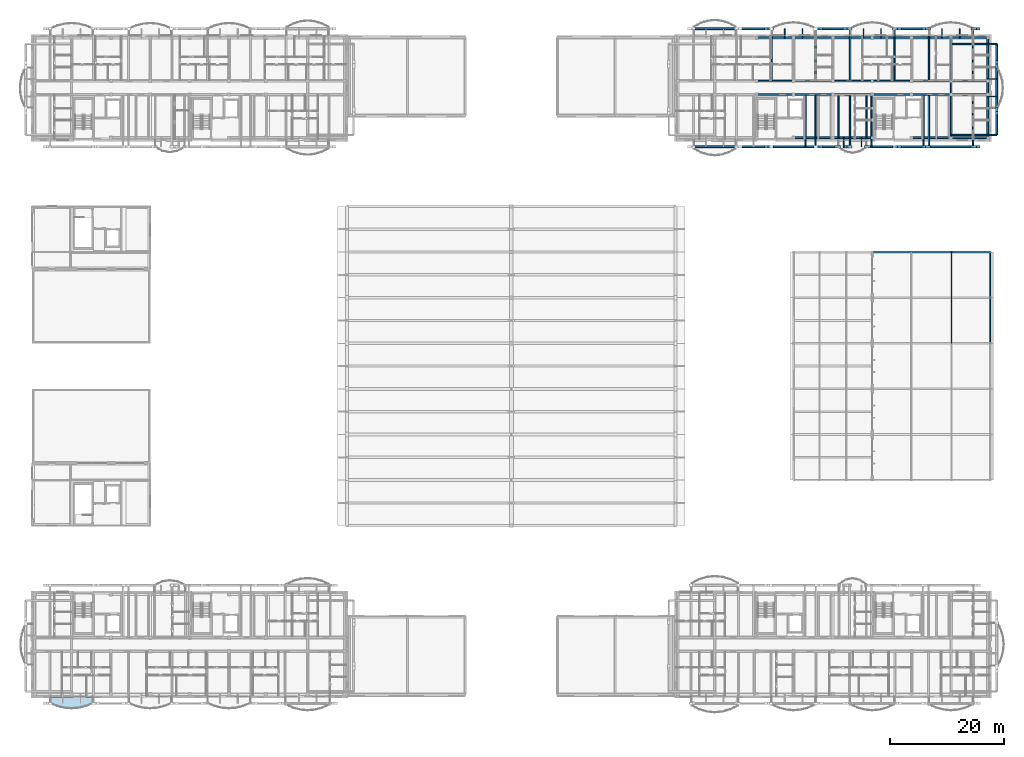
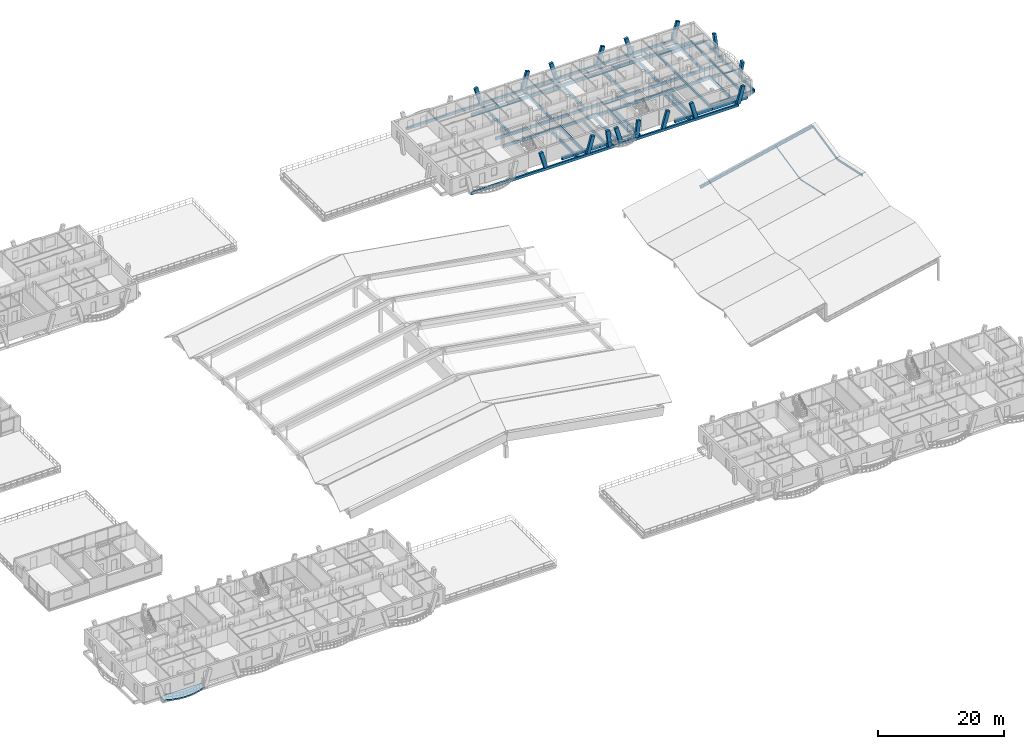
# One storey, part 51 of 109: 61 beams, 18 members, 1 slab.
"""IFC4 building model written with IfcOpenShell, lengths in metres."""

from ifc_helpers import new_model, si_unit, direction, frame, origin, origin_2d, place, context, subcontext, project, spatial, polyline, rectangle, i_section, outline, extrude, material, layer, layer_set, material_profile, profile_set, type_object, element, save


model = new_model("IFC4")

# Units and contexts
model_context = context("Model", 3, precision=1e-05, world=origin(), true_north=direction((0.0, 1.0)))
body_context = subcontext(model_context, "Body", "Model", "MODEL_VIEW")
ifc_project = project(units=[si_unit("LENGTHUNIT", "METRE"), si_unit("AREAUNIT", "SQUARE_METRE"), si_unit("VOLUMEUNIT", "CUBIC_METRE"), si_unit("PLANEANGLEUNIT", "RADIAN"), si_unit("MASSUNIT", "GRAM", prefix="KILO")], contexts=[model_context])

# Site, building, storey
site_placement = place(None, origin())
site = spatial("IfcSite", under=ifc_project, at=site_placement, CompositionType="ELEMENT")
building_placement = place(site_placement, origin())
building = spatial("IfcBuilding", under=site, at=building_placement, Name="Zavelmont Quarter", CompositionType="ELEMENT")
storey_placement = place(building_placement, frame((0.0, 0.0, 8.0)))
storey = spatial("IfcBuildingStorey", under=building, at=storey_placement, Name="L02", CompositionType="ELEMENT", Elevation=8.0)

# Beams
ifc_material_1 = material(Name="Concrete C35/45", Category="concrete")
ifc_material_profile_1 = material_profile(ifc_material_1, rectangle(XDim=0.35009765625, YDim=0.60009765625, at=origin_2d()), Name="RC350X600")
ifc_profile_set_1 = profile_set([ifc_material_profile_1], Name="Concrete C35/45")
beam_type_1 = type_object("IfcBeamType", Name="BM01", PredefinedType="SPANDREL", material=ifc_profile_set_1)
beam_1_placement = place(storey_placement, frame((133.5, 98.0400390625, -0.570068359375), z_axis=(1.0, 0.0, 0.0), x_axis=(0.0, 1.0, 0.0)))
element("IfcBeam", 1, at=beam_1_placement, inside=storey, type_object=beam_type_1, Name="L02 beam BM01 20/P to 21/P", PredefinedType="SPANDREL", context=body_context, shape_type="SweptSolid", body=[
    extrude(rectangle(XDim=0.35009765625, YDim=0.60009765625, at=origin_2d()), origin(), (0.0, 0.0, 1.0), 6.89990234375),
])
for number, where, z_axis, x_axis, name in (
    (2, (140.39990234375, 98.0400390625, -0.570068359375), (1.0, 0.0, 0.0), (0.0, 1.0, 0.0), "L02 beam BM01 21/P to 22/P"),
    (3, (154.199951171875, 98.0400390625, -0.570068359375), (1.0, 0.0, 0.0), (0.0, 1.0, 0.0), "L02 beam BM01 23/P to 24/P"),
):
    element("IfcBeam", number, at=place(storey_placement, frame(where, z_axis=z_axis, x_axis=x_axis)), inside=storey, type_object=beam_type_1, Name=name, PredefinedType="SPANDREL", context=body_context, shape_type="SweptSolid", body=[
        extrude(rectangle(XDim=0.35009765625, YDim=0.60009765625, at=origin_2d()), origin(), (0.0, 0.0, 1.0), 6.900146484375),
    ])
for number, where, z_axis, x_axis, name in (
    (4, (161.10009765625, 98.0400390625, -0.570068359375), (1.0, 0.0, 0.0), (0.0, 1.0, 0.0), "L02 beam BM01 24/P to 25/P"),
    (5, (127.0400390625, 115.56005859375, -0.570068359375), (1.0, 0.0, 0.0), (0.0, 1.0, 0.0), "L02 beam BM01 19/S to 20/S"),
):
    element("IfcBeam", number, at=place(storey_placement, frame(where, z_axis=z_axis, x_axis=x_axis)), inside=storey, type_object=beam_type_1, Name=name, PredefinedType="SPANDREL", context=body_context, shape_type="SweptSolid", body=[
        extrude(rectangle(XDim=0.35009765625, YDim=0.60009765625, at=origin_2d()), origin(), (0.0, 0.0, 1.0), 6.4599609375),
    ])
beam_2_placement = place(storey_placement, frame((133.5, 115.56005859375, -0.570068359375), z_axis=(1.0, 0.0, 0.0), x_axis=(0.0, 1.0, 0.0)))
element("IfcBeam", 6, at=beam_2_placement, inside=storey, type_object=beam_type_1, Name="L02 beam BM01 20/S to 21/S", PredefinedType="SPANDREL", context=body_context, shape_type="SweptSolid", body=[
    extrude(rectangle(XDim=0.35009765625, YDim=0.60009765625, at=origin_2d()), origin(), (0.0, 0.0, 1.0), 6.89990234375),
])
beam_3_placement = place(storey_placement, frame((140.39990234375, 115.56005859375, -0.570068359375), z_axis=(1.0, 0.0, 0.0), x_axis=(0.0, 1.0, 0.0)))
element("IfcBeam", 7, at=beam_3_placement, inside=storey, type_object=beam_type_1, Name="L02 beam BM01 21/S to 22/S", PredefinedType="SPANDREL", context=body_context, shape_type="SweptSolid", body=[
    extrude(rectangle(XDim=0.35009765625, YDim=0.60009765625, at=origin_2d()), origin(), (0.0, 0.0, 1.0), 6.900146484375),
])
beam_4_placement = place(storey_placement, frame((147.300048828125, 115.56005859375, -0.570068359375), z_axis=(1.0, 0.0, 0.0), x_axis=(0.0, 1.0, 0.0)))
element("IfcBeam", 8, at=beam_4_placement, inside=storey, type_object=beam_type_1, Name="L02 beam BM01 22/S to 23/S", PredefinedType="SPANDREL", context=body_context, shape_type="SweptSolid", body=[
    extrude(rectangle(XDim=0.35009765625, YDim=0.60009765625, at=origin_2d()), origin(), (0.0, 0.0, 1.0), 6.89990234375),
])
beam_5_placement = place(storey_placement, frame((154.199951171875, 115.56005859375, -0.570068359375), z_axis=(1.0, 0.0, 0.0), x_axis=(0.0, 1.0, 0.0)))
element("IfcBeam", 9, at=beam_5_placement, inside=storey, type_object=beam_type_1, Name="L02 beam BM01 23/S to 24/S", PredefinedType="SPANDREL", context=body_context, shape_type="SweptSolid", body=[
    extrude(rectangle(XDim=0.35009765625, YDim=0.60009765625, at=origin_2d()), origin(), (0.0, 0.0, 1.0), 6.900146484375),
])
beam_6_placement = place(storey_placement, frame((161.10009765625, 115.56005859375, -0.570068359375), z_axis=(1.0, 0.0, 0.0), x_axis=(0.0, 1.0, 0.0)))
element("IfcBeam", 10, at=beam_6_placement, inside=storey, type_object=beam_type_1, Name="L02 beam BM01 24/S to 25/S", PredefinedType="SPANDREL", context=body_context, shape_type="SweptSolid", body=[
    extrude(rectangle(XDim=0.35009765625, YDim=0.60009765625, at=origin_2d()), origin(), (0.0, 0.0, 1.0), 6.4599609375),
])
ifc_material_profile_2 = material_profile(ifc_material_1, rectangle(XDim=0.300048828125, YDim=0.550048828125, at=origin_2d()), Name="RC300X550")
ifc_profile_set_2 = profile_set([ifc_material_profile_2], Name="Concrete C35/45")
beam_type_2 = type_object("IfcBeamType", Name="BM02", PredefinedType="SPANDREL", material=ifc_profile_set_2)
beam_7_placement = place(storey_placement, frame((127.0400390625, 105.60009765625, -0.544921875), z_axis=(1.0, 0.0, 0.0), x_axis=(0.0, 1.0, 0.0)))
element("IfcBeam", 11, at=beam_7_placement, inside=storey, type_object=beam_type_2, Name="L02 beam BM02 19/Q to 20/Q", PredefinedType="SPANDREL", context=body_context, shape_type="SweptSolid", body=[
    extrude(rectangle(XDim=0.300048828125, YDim=0.550048828125, at=origin_2d()), origin(), (0.0, 0.0, 1.0), 6.4599609375),
])
beam_8_placement = place(storey_placement, frame((133.5, 105.60009765625, -0.544921875), z_axis=(1.0, 0.0, 0.0), x_axis=(0.0, 1.0, 0.0)))
element("IfcBeam", 12, at=beam_8_placement, inside=storey, type_object=beam_type_2, Name="L02 beam BM02 20/Q to 21/Q", PredefinedType="SPANDREL", context=body_context, shape_type="SweptSolid", body=[
    extrude(rectangle(XDim=0.300048828125, YDim=0.550048828125, at=origin_2d()), origin(), (0.0, 0.0, 1.0), 6.89990234375),
])
beam_9_placement = place(storey_placement, frame((140.39990234375, 105.60009765625, -0.544921875), z_axis=(1.0, 0.0, 0.0), x_axis=(0.0, 1.0, 0.0)))
element("IfcBeam", 13, at=beam_9_placement, inside=storey, type_object=beam_type_2, Name="L02 beam BM02 21/Q to 22/Q", PredefinedType="SPANDREL", context=body_context, shape_type="SweptSolid", body=[
    extrude(rectangle(XDim=0.300048828125, YDim=0.550048828125, at=origin_2d()), origin(), (0.0, 0.0, 1.0), 6.900146484375),
])
beam_10_placement = place(storey_placement, frame((147.300048828125, 105.60009765625, -0.544921875), z_axis=(1.0, 0.0, 0.0), x_axis=(0.0, 1.0, 0.0)))
element("IfcBeam", 14, at=beam_10_placement, inside=storey, type_object=beam_type_2, Name="L02 beam BM02 22/Q to 23/Q", PredefinedType="SPANDREL", context=body_context, shape_type="SweptSolid", body=[
    extrude(rectangle(XDim=0.300048828125, YDim=0.550048828125, at=origin_2d()), origin(), (0.0, 0.0, 1.0), 6.89990234375),
])
beam_11_placement = place(storey_placement, frame((154.199951171875, 105.60009765625, -0.544921875), z_axis=(1.0, 0.0, 0.0), x_axis=(0.0, 1.0, 0.0)))
element("IfcBeam", 15, at=beam_11_placement, inside=storey, type_object=beam_type_2, Name="L02 beam BM02 23/Q to 24/Q", PredefinedType="SPANDREL", context=body_context, shape_type="SweptSolid", body=[
    extrude(rectangle(XDim=0.300048828125, YDim=0.550048828125, at=origin_2d()), origin(), (0.0, 0.0, 1.0), 6.900146484375),
])
for number, where, z_axis, x_axis, name in (
    (16, (161.10009765625, 105.60009765625, -0.544921875), (1.0, 0.0, 0.0), (0.0, 1.0, 0.0), "L02 beam BM02 24/Q to 25/Q"),
    (17, (127.0400390625, 108.0, -0.544921875), (1.0, 0.0, 0.0), (0.0, 1.0, 0.0), "L02 beam BM02 19/R to 20/R"),
):
    element("IfcBeam", number, at=place(storey_placement, frame(where, z_axis=z_axis, x_axis=x_axis)), inside=storey, type_object=beam_type_2, Name=name, PredefinedType="SPANDREL", context=body_context, shape_type="SweptSolid", body=[
        extrude(rectangle(XDim=0.300048828125, YDim=0.550048828125, at=origin_2d()), origin(), (0.0, 0.0, 1.0), 6.4599609375),
    ])
beam_12_placement = place(storey_placement, frame((133.5, 108.0, -0.544921875), z_axis=(1.0, 0.0, 0.0), x_axis=(0.0, 1.0, 0.0)))
element("IfcBeam", 18, at=beam_12_placement, inside=storey, type_object=beam_type_2, Name="L02 beam BM02 20/R to 21/R", PredefinedType="SPANDREL", context=body_context, shape_type="SweptSolid", body=[
    extrude(rectangle(XDim=0.300048828125, YDim=0.550048828125, at=origin_2d()), origin(), (0.0, 0.0, 1.0), 6.89990234375),
])
beam_13_placement = place(storey_placement, frame((140.39990234375, 108.0, -0.544921875), z_axis=(1.0, 0.0, 0.0), x_axis=(0.0, 1.0, 0.0)))
element("IfcBeam", 19, at=beam_13_placement, inside=storey, type_object=beam_type_2, Name="L02 beam BM02 21/R to 22/R", PredefinedType="SPANDREL", context=body_context, shape_type="SweptSolid", body=[
    extrude(rectangle(XDim=0.300048828125, YDim=0.550048828125, at=origin_2d()), origin(), (0.0, 0.0, 1.0), 6.900146484375),
])
beam_14_placement = place(storey_placement, frame((147.300048828125, 108.0, -0.544921875), z_axis=(1.0, 0.0, 0.0), x_axis=(0.0, 1.0, 0.0)))
element("IfcBeam", 20, at=beam_14_placement, inside=storey, type_object=beam_type_2, Name="L02 beam BM02 22/R to 23/R", PredefinedType="SPANDREL", context=body_context, shape_type="SweptSolid", body=[
    extrude(rectangle(XDim=0.300048828125, YDim=0.550048828125, at=origin_2d()), origin(), (0.0, 0.0, 1.0), 6.89990234375),
])
beam_15_placement = place(storey_placement, frame((154.199951171875, 108.0, -0.544921875), z_axis=(1.0, 0.0, 0.0), x_axis=(0.0, 1.0, 0.0)))
element("IfcBeam", 21, at=beam_15_placement, inside=storey, type_object=beam_type_2, Name="L02 beam BM02 23/R to 24/R", PredefinedType="SPANDREL", context=body_context, shape_type="SweptSolid", body=[
    extrude(rectangle(XDim=0.300048828125, YDim=0.550048828125, at=origin_2d()), origin(), (0.0, 0.0, 1.0), 6.900146484375),
])
beam_16_placement = place(storey_placement, frame((161.10009765625, 108.0, -0.544921875), z_axis=(1.0, 0.0, 0.0), x_axis=(0.0, 1.0, 0.0)))
element("IfcBeam", 22, at=beam_16_placement, inside=storey, type_object=beam_type_2, Name="L02 beam BM02 24/R to 25/R", PredefinedType="SPANDREL", context=body_context, shape_type="SweptSolid", body=[
    extrude(rectangle(XDim=0.300048828125, YDim=0.550048828125, at=origin_2d()), origin(), (0.0, 0.0, 1.0), 6.4599609375),
])
beam_17_placement = place(storey_placement, frame((161.10009765625, 98.0400390625, -0.544921875), z_axis=(0.0, 1.0, 0.0), x_axis=(-1.0, 0.0, 0.0)))
element("IfcBeam", 23, at=beam_17_placement, inside=storey, type_object=beam_type_2, Name="L02 beam BM02 24/P to 24/Q", PredefinedType="SPANDREL", context=body_context, shape_type="SweptSolid", body=[
    extrude(rectangle(XDim=0.300048828125, YDim=0.550048828125, at=origin_2d()), origin(), (0.0, 0.0, 1.0), 7.56005859375),
])
beam_18_placement = place(storey_placement, frame((161.10009765625, 105.60009765625, -0.544921875), z_axis=(0.0, 1.0, 0.0), x_axis=(-1.0, 0.0, 0.0)))
element("IfcBeam", 24, at=beam_18_placement, inside=storey, type_object=beam_type_2, Name="L02 beam BM02 24/Q to 24/R", PredefinedType="SPANDREL", context=body_context, shape_type="SweptSolid", body=[
    extrude(rectangle(XDim=0.300048828125, YDim=0.550048828125, at=origin_2d()), origin(), (0.0, 0.0, 1.0), 2.39990234375),
])
for number, where, z_axis, x_axis, name in (
    (25, (161.10009765625, 108.0, -0.544921875), (0.0, 1.0, 0.0), (-1.0, 0.0, 0.0), "L02 beam BM02 24/R to 24/S"),
    (26, (167.56005859375, 98.0400390625, -0.544921875), (0.0, 1.0, 0.0), (-1.0, 0.0, 0.0), "L02 beam BM02 25/P to 25/Q"),
):
    element("IfcBeam", number, at=place(storey_placement, frame(where, z_axis=z_axis, x_axis=x_axis)), inside=storey, type_object=beam_type_2, Name=name, PredefinedType="SPANDREL", context=body_context, shape_type="SweptSolid", body=[
        extrude(rectangle(XDim=0.300048828125, YDim=0.550048828125, at=origin_2d()), origin(), (0.0, 0.0, 1.0), 7.56005859375),
    ])
beam_19_placement = place(storey_placement, frame((167.56005859375, 105.60009765625, -0.544921875), z_axis=(0.0, 1.0, 0.0), x_axis=(-1.0, 0.0, 0.0)))
element("IfcBeam", 27, at=beam_19_placement, inside=storey, type_object=beam_type_2, Name="L02 beam BM02 25/Q to 25/R", PredefinedType="SPANDREL", context=body_context, shape_type="SweptSolid", body=[
    extrude(rectangle(XDim=0.300048828125, YDim=0.550048828125, at=origin_2d()), origin(), (0.0, 0.0, 1.0), 2.39990234375),
])
beam_20_placement = place(storey_placement, frame((167.56005859375, 108.0, -0.544921875), z_axis=(0.0, 1.0, 0.0), x_axis=(-1.0, 0.0, 0.0)))
element("IfcBeam", 28, at=beam_20_placement, inside=storey, type_object=beam_type_2, Name="L02 beam BM02 25/R to 25/S", PredefinedType="SPANDREL", context=body_context, shape_type="SweptSolid", body=[
    extrude(rectangle(XDim=0.300048828125, YDim=0.550048828125, at=origin_2d()), origin(), (0.0, 0.0, 1.0), 7.56005859375),
])
ifc_material_profile_3 = material_profile(ifc_material_1, rectangle(XDim=0.300048828125, YDim=0.5, at=origin_2d()), Name="RC300X500")
ifc_profile_set_3 = profile_set([ifc_material_profile_3], Name="Concrete C35/45")
beam_type_3 = type_object("IfcBeamType", Name="BM03", PredefinedType="BEAM", material=ifc_profile_set_3)
for number, where, z_axis, x_axis, name in (
    (29, (115.926025390625, 117.14990234375, -0.25), (1.0, 0.0, 0.0), (0.0, 1.0, 0.0), "L02 beam BM03 17/S to 25/S"),
    (30, (115.926025390625, 96.449951171875, -0.25), (1.0, 0.0, 0.0), (0.0, 1.0, 0.0), "L02 beam BM03 17/P to 25/P"),
):
    element("IfcBeam", number, at=place(storey_placement, frame(where, z_axis=z_axis, x_axis=x_axis)), inside=storey, type_object=beam_type_3, Name=name, PredefinedType="BEAM", context=body_context, shape_type="SweptSolid", body=[
        extrude(rectangle(XDim=0.300048828125, YDim=0.5, at=origin_2d()), origin(), (0.0, 0.0, 1.0), 49.044921875),
    ])
beam_21_placement = place(storey_placement, frame((169.14990234375, 98.550048828125, -0.25), z_axis=(0.0, 1.0, 0.0), x_axis=(-1.0, 0.0, 0.0)))
element("IfcBeam", 31, at=beam_21_placement, inside=storey, type_object=beam_type_3, Name="L02 beam BM03 25/P to 25/S", PredefinedType="BEAM", context=body_context, shape_type="SweptSolid", body=[
    extrude(rectangle(XDim=0.300048828125, YDim=0.5, at=origin_2d()), origin(), (0.0, 0.0, 1.0), 15.949951171875),
])
ifc_material_2 = material(Name="Steel S355", Category="steel")
ifc_material_profile_4 = material_profile(ifc_material_2, i_section(OverallWidth=0.300048828125, OverallDepth=0.5400390625, WebThickness=0.012451171875, FlangeThickness=0.02392578125, at=origin_2d()), Name="HEA 550")
ifc_profile_set_4 = profile_set([ifc_material_profile_4], Name="Steel S355")
beam_type_4 = type_object("IfcBeamType", Name="BM11", PredefinedType="BEAM", material=ifc_profile_set_4)
beam_22_placement = place(storey_placement, frame((147.300048828125, 78.0, 1.1201171875), z_axis=(0.97593670434, 0.0, 0.21805400506), x_axis=(0.0, 1.0, 0.0)))
element("IfcBeam", 32, at=beam_22_placement, inside=storey, type_object=beam_type_4, Name="L02 beam BM11 22/M to 25/M", PredefinedType="BEAM", context=body_context, shape_type="SweptSolid", body=[
    extrude(i_section(OverallWidth=0.300048828125, OverallDepth=0.5400390625, WebThickness=0.012451171875, FlangeThickness=0.02392578125, at=origin_2d()), origin(), (0.0, 0.0, 1.0), 21.21044921875),
])
ifc_material_profile_5 = material_profile(ifc_material_2, i_section(OverallWidth=0.169921875, OverallDepth=0.360107421875, WebThickness=0.008056640625, FlangeThickness=0.0126953125, at=origin_2d()), Name="IPE 360")
ifc_profile_set_5 = profile_set([ifc_material_profile_5], Name="Steel S355")
beam_type_5 = type_object("IfcBeamType", Name="BM13", PredefinedType="BEAM", material=ifc_profile_set_5)
for number, where, z_axis, x_axis, name in (
    (33, (168.0, 62.0, 5.8349609375), (0.0, 0.976900017396, -0.213696878805), (-1.0, 0.0, 0.0), "L02 beam BM13 25/K to 25/L"),
    (34, (168.0, 70.0, 4.0849609375), (0.0, 0.976900017396, 0.213696878805), (-1.0, 0.0, 0.0), "L02 beam BM13 25/L to 25/M"),
):
    element("IfcBeam", number, at=place(storey_placement, frame(where, z_axis=z_axis, x_axis=x_axis)), inside=storey, type_object=beam_type_5, Name=name, PredefinedType="BEAM", context=body_context, shape_type="SweptSolid", body=[
        extrude(i_section(OverallWidth=0.169921875, OverallDepth=0.360107421875, WebThickness=0.008056640625, FlangeThickness=0.0126953125, at=origin_2d()), origin(), (0.0, 0.0, 1.0), 8.189208984375),
    ])
ifc_material_profile_6 = material_profile(ifc_material_2, i_section(OverallWidth=0.110107421875, OverallDepth=0.219970703125, WebThickness=0.005859375, FlangeThickness=0.00927734375, at=origin_2d()), Name="IPE 220")
ifc_profile_set_6 = profile_set([ifc_material_profile_6], Name="Steel S355")
beam_type_6 = type_object("IfcBeamType", Name="BM15", PredefinedType="JOIST", material=ifc_profile_set_6)
for number, where, z_axis, x_axis, name in (
    (35, (131.949951171875, 115.56005859375, -0.382080078125), (0.0, 1.0, 0.0), (-1.0, 0.0, 0.0), "L02 beam BM15 20/S to 20/S"),
    (36, (135.050048828125, 115.56005859375, -0.382080078125), (0.0, 1.0, 0.0), (-1.0, 0.0, 0.0), "L02 beam BM15 20/S to 20/S"),
    (37, (145.75, 115.56005859375, -0.382080078125), (0.0, 1.0, 0.0), (-1.0, 0.0, 0.0), "L02 beam BM15 22/S to 22/S"),
    (38, (148.85009765625, 115.56005859375, -0.382080078125), (0.0, 1.0, 0.0), (-1.0, 0.0, 0.0), "L02 beam BM15 22/S to 22/S"),
    (39, (159.550048828125, 115.56005859375, -0.382080078125), (0.0, 1.0, 0.0), (-1.0, 0.0, 0.0), "L02 beam BM15 24/S to 24/S"),
    (40, (162.64990234375, 115.56005859375, -0.382080078125), (0.0, 1.0, 0.0), (-1.0, 0.0, 0.0), "L02 beam BM15 24/S to 24/S"),
    (41, (167.56005859375, 105.25, -0.382080078125), (1.0, 0.0, 0.0), (0.0, 1.0, 0.0), "L02 beam BM15 25/Q to 25/Q"),
    (42, (167.56005859375, 108.35009765625, -0.382080078125), (1.0, 0.0, 0.0), (0.0, 1.0, 0.0), "L02 beam BM15 25/R to 25/R"),
):
    element("IfcBeam", number, at=place(storey_placement, frame(where, z_axis=z_axis, x_axis=x_axis)), inside=storey, type_object=beam_type_6, Name=name, PredefinedType="JOIST", context=body_context, shape_type="SweptSolid", body=[
        extrude(i_section(OverallWidth=0.110107421875, OverallDepth=0.219970703125, WebThickness=0.005859375, FlangeThickness=0.00927734375, at=origin_2d()), origin(), (0.0, 0.0, 1.0), 1.58984375),
    ])
for number, where, z_axis, x_axis, name in (
    (43, (142.300048828125, 98.0400390625, -0.382080078125), (0.0, -1.0, 0.0), (1.0, 0.0, 0.0), "L02 beam BM15 21/P to 21/P"),
    (44, (145.39990234375, 98.0400390625, -0.382080078125), (0.0, -1.0, 0.0), (1.0, 0.0, 0.0), "L02 beam BM15 22/P to 22/P"),
):
    element("IfcBeam", number, at=place(storey_placement, frame(where, z_axis=z_axis, x_axis=x_axis)), inside=storey, type_object=beam_type_6, Name=name, PredefinedType="JOIST", context=body_context, shape_type="SweptSolid", body=[
        extrude(i_section(OverallWidth=0.110107421875, OverallDepth=0.219970703125, WebThickness=0.005859375, FlangeThickness=0.00927734375, at=origin_2d()), origin(), (0.0, 0.0, 1.0), 1.590087890625),
    ])
ifc_material_3 = material(Name="Concrete C40/50", Category="concrete")
ifc_material_profile_7 = material_profile(ifc_material_3, rectangle(XDim=0.25, YDim=0.60009765625, at=origin_2d()), Name="RC250X600")
ifc_profile_set_7 = profile_set([ifc_material_profile_7], Name="Concrete C40/50")
beam_type_7 = type_object("IfcBeamType", Name="BM18", PredefinedType="BEAM", material=ifc_profile_set_7)
for number, where, z_axis, x_axis, name in (
    (45, (129.629150390625, 108.0, -0.300048828125), (0.0, 1.0, 0.0), (-1.0, 0.0, 0.0), "L02 beam BM18 19/R to 19/S"),
    (46, (137.370849609375, 108.0, -0.300048828125), (0.0, 1.0, 0.0), (-1.0, 0.0, 0.0), "L02 beam BM18 21/R to 21/S"),
    (47, (143.42919921875, 108.0, -0.300048828125), (0.0, 1.0, 0.0), (-1.0, 0.0, 0.0), "L02 beam BM18 21/R to 21/S"),
    (48, (151.1708984375, 108.0, -0.300048828125), (0.0, 1.0, 0.0), (-1.0, 0.0, 0.0), "L02 beam BM18 23/R to 23/S"),
    (49, (157.229248046875, 108.0, -0.300048828125), (0.0, 1.0, 0.0), (-1.0, 0.0, 0.0), "L02 beam BM18 23/R to 23/S"),
    (50, (164.970703125, 108.0, -0.300048828125), (0.0, 1.0, 0.0), (-1.0, 0.0, 0.0), "L02 beam BM18 25/R to 25/S"),
):
    element("IfcBeam", number, at=place(storey_placement, frame(where, z_axis=z_axis, x_axis=x_axis)), inside=storey, type_object=beam_type_7, Name=name, PredefinedType="BEAM", context=body_context, shape_type="SweptSolid", body=[
        extrude(rectangle(XDim=0.25, YDim=0.60009765625, at=origin_2d()), origin(), (0.0, 0.0, 1.0), 9.14990234375),
    ])
for number, where, z_axis, x_axis, name in (
    (51, (135.625, 105.60009765625, -0.300048828125), (0.0, -1.0, 0.0), (1.0, 0.0, 0.0), "L02 beam BM18 20/Q to 20/P"),
    (52, (137.370849609375, 105.60009765625, -0.300048828125), (0.0, -1.0, 0.0), (1.0, 0.0, 0.0), "L02 beam BM18 21/Q to 21/P"),
    (53, (143.42919921875, 105.60009765625, -0.300048828125), (0.0, -1.0, 0.0), (1.0, 0.0, 0.0), "L02 beam BM18 21/Q to 21/P"),
    (54, (147.199951171875, 105.60009765625, -0.300048828125), (0.0, -1.0, 0.0), (1.0, 0.0, 0.0), "L02 beam BM18 22/Q to 22/P"),
    (55, (156.324951171875, 105.60009765625, -0.300048828125), (0.0, -1.0, 0.0), (1.0, 0.0, 0.0), "L02 beam BM18 23/Q to 23/P"),
    (56, (157.229248046875, 105.60009765625, -0.300048828125), (0.0, -1.0, 0.0), (1.0, 0.0, 0.0), "L02 beam BM18 23/Q to 23/P"),
    (57, (164.970703125, 105.60009765625, -0.300048828125), (0.0, -1.0, 0.0), (1.0, 0.0, 0.0), "L02 beam BM18 25/Q to 25/P"),
    (58, (141.3916015625, 105.60009765625, -0.300048828125), (0.0, -1.0, 0.0), (1.0, 0.0, 0.0), "L02 beam BM18 21/Q to 21/P"),
    (59, (146.308349609375, 105.60009765625, -0.300048828125), (0.0, -1.0, 0.0), (1.0, 0.0, 0.0), "L02 beam BM18 22/Q to 22/P"),
):
    element("IfcBeam", number, at=place(storey_placement, frame(where, z_axis=z_axis, x_axis=x_axis)), inside=storey, type_object=beam_type_7, Name=name, PredefinedType="BEAM", context=body_context, shape_type="SweptSolid", body=[
        extrude(rectangle(XDim=0.25, YDim=0.60009765625, at=origin_2d()), origin(), (0.0, 0.0, 1.0), 9.150146484375),
    ])
for number, where, z_axis, x_axis, name in (
    (60, (161.10009765625, 98.550048828125, -0.300048828125), (1.0, 0.0, 0.0), (0.0, 1.0, 0.0), "L02 beam BM18 24/P to 25/P"),
    (61, (161.10009765625, 114.5, -0.300048828125), (1.0, 0.0, 0.0), (0.0, 1.0, 0.0), "L02 beam BM18 24/S to 25/S"),
):
    element("IfcBeam", number, at=place(storey_placement, frame(where, z_axis=z_axis, x_axis=x_axis)), inside=storey, type_object=beam_type_7, Name=name, PredefinedType="BEAM", context=body_context, shape_type="SweptSolid", body=[
        extrude(rectangle(XDim=0.25, YDim=0.60009765625, at=origin_2d()), origin(), (0.0, 0.0, 1.0), 8.0498046875),
    ])

# Members
ifc_material_profile_8 = material_profile(ifc_material_2, i_section(OverallWidth=0.110107421875, OverallDepth=0.219970703125, WebThickness=0.005859375, FlangeThickness=0.00927734375, at=origin_2d()), Name="IPE 220")
ifc_profile_set_8 = profile_set([ifc_material_profile_8], Name="Steel S355")
member_type_1 = type_object("IfcMemberType", Name="PR02", PredefinedType="PURLIN", material=ifc_profile_set_8)
for number, where, z_axis, x_axis, name in (
    (62, (161.1689453125, 62.0, 4.368896484375), (0.0, 0.976900017396, -0.213696878805), (-1.0, 0.0, 0.0), "L02 member PR02 24/K to 24/L"),
    (63, (161.1689453125, 70.0, 2.618896484375), (0.0, 0.976900017396, 0.213696878805), (-1.0, 0.0, 0.0), "L02 member PR02 24/L to 24/M"),
):
    element("IfcMember", number, at=place(storey_placement, frame(where, z_axis=z_axis, x_axis=x_axis)), inside=storey, type_object=member_type_1, Name=name, PredefinedType="PURLIN", context=body_context, shape_type="SweptSolid", body=[
        extrude(i_section(OverallWidth=0.110107421875, OverallDepth=0.219970703125, WebThickness=0.005859375, FlangeThickness=0.00927734375, at=origin_2d()), origin(), (0.0, 0.0, 1.0), 8.189208984375),
    ])
ifc_material_4 = material(Name="White architectural precast concrete C40/50", Category="concrete")
ifc_material_profile_9 = material_profile(ifc_material_4, rectangle(XDim=0.43994140625, YDim=0.659912109375, at=origin_2d()), Name="PCR320X480")
ifc_profile_set_9 = profile_set([ifc_material_profile_9], Name="White architectural precast concrete C40/50")
member_type_2 = type_object("IfcMemberType", Name="VR01M", PredefinedType="CHORD", material=ifc_profile_set_9)
for number, where, z_axis, x_axis, name in (
    (64, (129.629150390625, 117.14990234375, 0.0), (-0.271538645875, 0.0, 0.962427536907), (0.0, -1.0, 0.0), "L02 member VR01M 19/S to 19/S"),
    (65, (137.370849609375, 117.14990234375, 0.0), (0.271538645875, 0.0, 0.962427536907), (0.0, 1.0, 0.0), "L02 member VR01M 21/S to 21/S"),
    (66, (143.42919921875, 117.14990234375, 0.0), (-0.271538645875, 0.0, 0.962427536907), (0.0, -1.0, 0.0), "L02 member VR01M 21/S to 21/S"),
    (67, (151.1708984375, 117.14990234375, 0.0), (0.271538645875, 0.0, 0.962427536907), (0.0, 1.0, 0.0), "L02 member VR01M 23/S to 23/S"),
    (68, (157.229248046875, 117.14990234375, 0.0), (-0.271538645875, 0.0, 0.962427536907), (0.0, -1.0, 0.0), "L02 member VR01M 23/S to 23/S"),
    (69, (164.970703125, 117.14990234375, 0.0), (0.271606658233, 0.0, 0.962408345352), (0.0, 1.0, 0.0), "L02 member VR01M 25/S to 25/S"),
    (70, (129.629150390625, 96.449951171875, 0.0), (-0.271538645875, 0.0, 0.962427536907), (0.0, -1.0, 0.0), "L02 member VR01M 19/P to 19/P"),
    (71, (137.370849609375, 96.449951171875, 0.0), (0.271538645875, 0.0, 0.962427536907), (0.0, 1.0, 0.0), "L02 member VR01M 21/P to 21/P"),
    (72, (143.42919921875, 96.449951171875, 0.0), (-0.271538645875, 0.0, 0.962427536907), (0.0, -1.0, 0.0), "L02 member VR01M 21/P to 21/P"),
    (73, (151.1708984375, 96.449951171875, 0.0), (0.271538645875, 0.0, 0.962427536907), (0.0, 1.0, 0.0), "L02 member VR01M 23/P to 23/P"),
    (74, (157.229248046875, 96.449951171875, 0.0), (-0.271538645875, 0.0, 0.962427536907), (0.0, -1.0, 0.0), "L02 member VR01M 23/P to 23/P"),
    (75, (164.970703125, 96.449951171875, 0.0), (0.271606658233, 0.0, 0.962408345352), (0.0, 1.0, 0.0), "L02 member VR01M 25/P to 25/P"),
):
    element("IfcMember", number, at=place(storey_placement, frame(where, z_axis=z_axis, x_axis=x_axis)), inside=storey, type_object=member_type_2, Name=name, PredefinedType="CHORD", context=body_context, shape_type="SweptSolid", body=[
        extrude(rectangle(XDim=0.43994140625, YDim=0.659912109375, at=origin_2d()), origin(), (0.0, 0.0, 1.0), 3.324951171875),
    ])
for number, where, z_axis, x_axis, name in (
    (76, (141.3916015625, 96.449951171875, 0.0), (-0.120202433871, 0.0, 0.992749401859), (0.0, -1.0, 0.0), "L02 member VR01M 21/P to 21/P"),
    (77, (146.308349609375, 96.449951171875, 0.0), (0.120202433871, 0.0, 0.992749401859), (0.0, 1.0, 0.0), "L02 member VR01M 22/P to 22/P"),
):
    element("IfcMember", number, at=place(storey_placement, frame(where, z_axis=z_axis, x_axis=x_axis)), inside=storey, type_object=member_type_2, Name=name, PredefinedType="CHORD", context=body_context, shape_type="SweptSolid", body=[
        extrude(rectangle(XDim=0.43994140625, YDim=0.659912109375, at=origin_2d()), origin(), (0.0, 0.0, 1.0), 3.223388671875),
    ])
for number, where, z_axis, x_axis, name in (
    (78, (169.14990234375, 103.1357421875, 0.0), (0.0, -0.25095446965, 0.967998891612), (1.0, 0.0, 0.0), "L02 member VR01M 25/Q to 25/Q"),
    (79, (169.14990234375, 110.46435546875, 0.0), (0.0, 0.250885265306, 0.968016830253), (-1.0, 0.0, 0.0), "L02 member VR01M 25/R to 25/R"),
):
    element("IfcMember", number, at=place(storey_placement, frame(where, z_axis=z_axis, x_axis=x_axis)), inside=storey, type_object=member_type_2, Name=name, PredefinedType="CHORD", context=body_context, shape_type="SweptSolid", body=[
        extrude(rectangle(XDim=0.43994140625, YDim=0.659912109375, at=origin_2d()), origin(), (0.0, 0.0, 1.0), 3.3056640625),
    ])

# Slab
ifc_layer = layer(ifc_material_4, 0.2548828125)
ifc_layer_set = layer_set([ifc_layer], Name="White architectural precast concrete C40/50")
slab_type = type_object("IfcSlabType", Name="SL-BL220", PredefinedType="FLOOR", material=ifc_layer_set)
slab_placement = place(storey_placement, frame((0.0, 0.0, -0.2548828125)))
element("IfcSlab", 80, at=slab_placement, inside=storey, type_object=slab_type, Name="L02 Block A street vase 1 balcony SL-BL220", PredefinedType="FLOOR", context=body_context, shape_type="SweptSolid", body=[
    extrude(outline(polyline([(3.185791015625, -0.02001953125), (3.185791015625, -1.13623046875), (4.423828125, -1.632080078125), (5.661865234375, -1.9296875), (6.89990234375, -2.029052734375), (8.13818359375, -1.9296875), (9.376220703125, -1.632080078125), (10.6142578125, -1.13623046875), (10.6142578125, -0.02001953125), (3.185791015625, -0.02001953125)])), origin(), (0.0, 0.0, 1.0), 0.2548828125),
])

save(model, "model.ifc")
